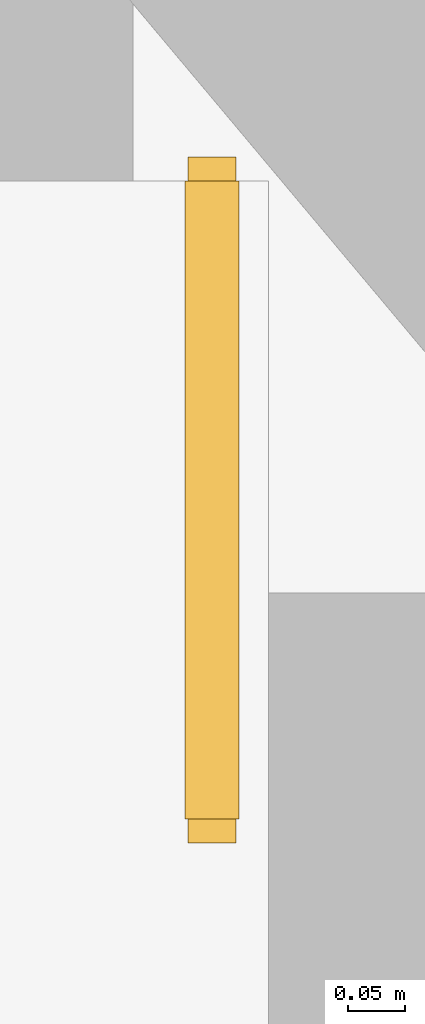
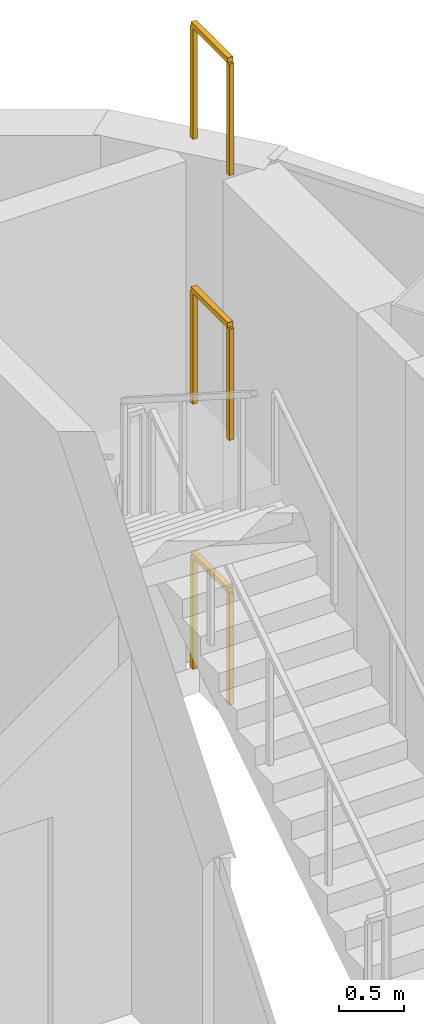
# One storey, part 11 of 11: 3 railings.
"""IFC4 building model written with IfcOpenShell, lengths in metres."""

from ifc_helpers import new_model, si_unit, direction, frame, origin, origin_2d, place, context, subcontext, project, spatial, rectangle, extrude, material, type_object, element, save


model = new_model("IFC4")

# Units and contexts
model_context = context("Model", 3, precision=1e-05, world=origin(), true_north=direction((0.0, 1.0)))
body_context = subcontext(model_context, "Body", "Model", "MODEL_VIEW")
ifc_project = project(units=[si_unit("LENGTHUNIT", "METRE"), si_unit("AREAUNIT", "SQUARE_METRE"), si_unit("VOLUMEUNIT", "CUBIC_METRE"), si_unit("PLANEANGLEUNIT", "RADIAN"), si_unit("MASSUNIT", "GRAM", prefix="KILO")], contexts=[model_context])

# Site, building, storey
site_placement = place(None, origin())
site = spatial("IfcSite", under=ifc_project, at=site_placement, CompositionType="ELEMENT")
building_placement = place(site_placement, origin())
building = spatial("IfcBuilding", under=site, at=building_placement, Name="Apuvela Tower Hotel", CompositionType="ELEMENT")
storey_placement = place(building_placement, frame((0.0, 0.0, 338.300048828125)))
storey = spatial("IfcBuildingStorey", under=building, at=storey_placement, Name="L84", CompositionType="ELEMENT", Elevation=338.300048828125)

# Railings
ifc_material = material(Name="Steel S275 balustrade", Category="steel")
railing_type = type_object("IfcRailingType", Name="COR-GUARD-1100", PredefinedType="GUARDRAIL", material=ifc_material)
for number, where, name in (
    (1, (4.949951171875, 18.935791015625, 2.5), "L84 ST1 stair guard 5"),
    (2, (4.949951171875, 18.935791015625, 0.0), "L84 ST1 stair guard 6"),
    (3, (4.949951171875, 18.935791015625, 5.0), "L84 ST1 stair guard 7"),
):
    element("IfcRailing", number, at=place(storey_placement, frame(where)), inside=storey, type_object=railing_type, Name=name, PredefinedType="GUARDRAIL", context=body_context, shape_type="SweptSolid", body=[
        extrude(rectangle(XDim=0.048095703125, YDim=0.048095703125, at=origin_2d()), frame((0.0, 0.0, 1.076171875), z_axis=(0.0, 1.0, 0.0), x_axis=(-1.0, 0.0, 0.0)), (0.0, 0.0, 1.0), 0.564208984375),
        extrude(rectangle(XDim=0.0419921875, YDim=0.0419921875, at=origin_2d()), origin(), (0.0, 0.0, 1.0), 1.052001953125),
        extrude(rectangle(XDim=0.0419921875, YDim=0.0419921875, at=origin_2d()), frame((0.0, 0.564208984375, 0.0)), (0.0, 0.0, 1.0), 1.052001953125),
    ])

save(model, "model.ifc")
